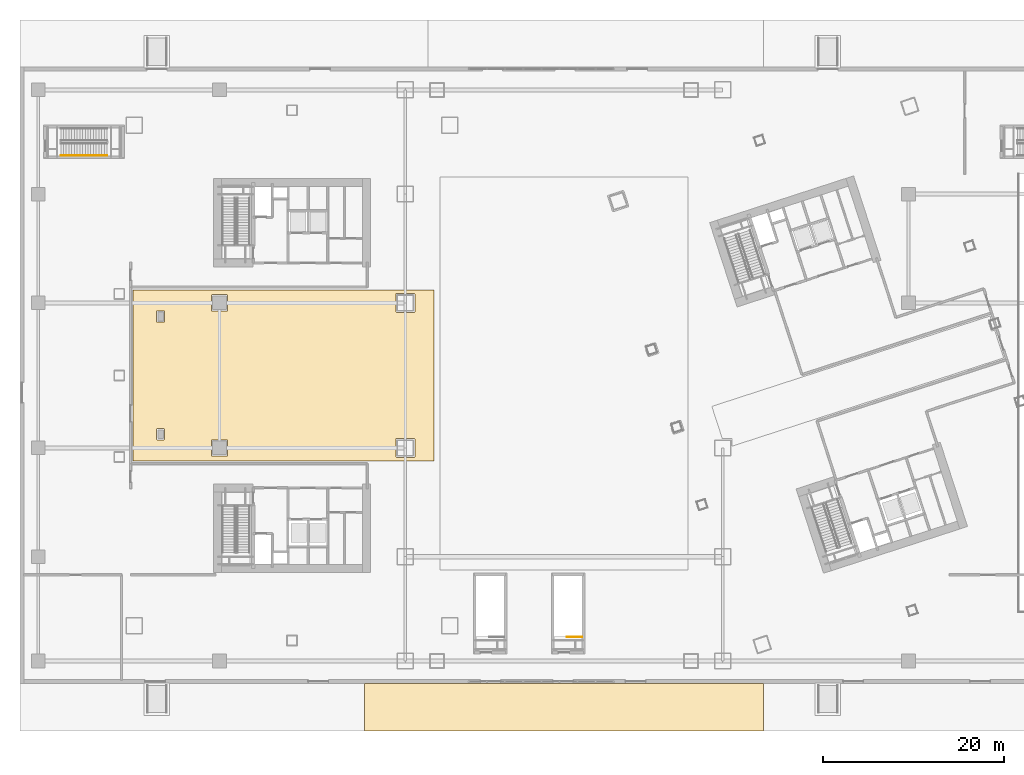
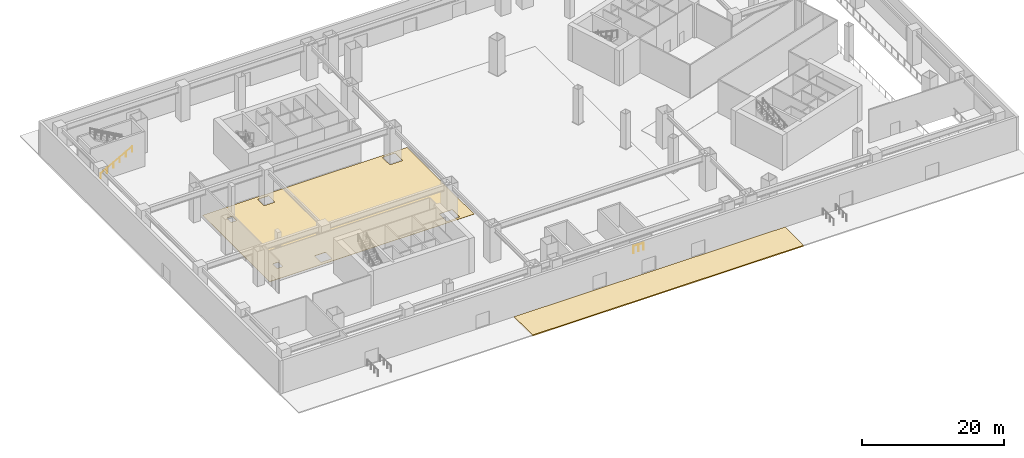
# One storey, part 22 of 31: 2 coverings, 2 railings.
"""IFC4 building model written with IfcOpenShell, lengths in metres."""

from ifc_helpers import new_model, si_unit, direction, frame, origin, origin_2d, place, context, subcontext, project, spatial, polyline, circle, outline, extrude, material, layer, layer_set, type_object, element, save


model = new_model("IFC4")

# Units and contexts
model_context = context("Model", 3, precision=1e-05, world=origin(), true_north=direction((0.0, 1.0)))
body_context = subcontext(model_context, "Body", "Model", "MODEL_VIEW")
ifc_project = project(units=[si_unit("LENGTHUNIT", "METRE"), si_unit("AREAUNIT", "SQUARE_METRE"), si_unit("VOLUMEUNIT", "CUBIC_METRE"), si_unit("PLANEANGLEUNIT", "RADIAN"), si_unit("MASSUNIT", "GRAM", prefix="KILO")], contexts=[model_context])

# Site, building, storey
site_placement = place(None, origin())
site = spatial("IfcSite", under=ifc_project, at=site_placement, CompositionType="ELEMENT")
building_placement = place(site_placement, origin())
building = spatial("IfcBuilding", under=site, at=building_placement, Name="Qiaolan Cultural Towers", CompositionType="ELEMENT")
storey_placement = place(building_placement, origin())
storey = spatial("IfcBuildingStorey", under=building, at=storey_placement, Name="L00", CompositionType="ELEMENT", Elevation=0.0)

# Coverings
ifc_material_1 = material(Name="Honed Terrazzo & Raised Access Flooring", Category="concrete")
ifc_layer_1 = layer(ifc_material_1, 0.0400390625)
ifc_layer_set_1 = layer_set([ifc_layer_1], Name="Honed Terrazzo & Raised Access Flooring")
covering_type_1 = type_object("IfcCoveringType", Name="COV-FLR-STONE", PredefinedType="FLOORING", material=ifc_layer_set_1)
covering_1_placement = place(storey_placement, origin())
element("IfcCovering", 1, at=covering_1_placement, inside=storey, type_object=covering_type_1, Name="L00 West Tower Cultural & Office Entrance Lobby Finish Flooring", PredefinedType="FLOORING", context=body_context, shape_type="SweptSolid", body=[
    extrude(outline(polyline([(12.469970703125, 43.429931640625), (12.469970703125, 24.570068359375), (45.679931640625, 24.570068359375), (45.679931640625, 43.429931640625), (12.469970703125, 43.429931640625)]), holes=[polyline([(41.45068359375, 42.941650390625), (41.452392578125, 42.953369140625), (41.455078125, 42.96484375), (41.459228515625, 42.975830078125), (41.464111328125, 42.986572265625), (41.47021484375, 42.99658203125), (41.477294921875, 43.006103515625), (41.485107421875, 43.014892578125), (41.493896484375, 43.022705078125), (41.50341796875, 43.02978515625), (41.513427734375, 43.035888671875), (41.524169921875, 43.040771484375), (41.53515625, 43.044921875), (41.546630859375, 43.047607421875), (41.558349609375, 43.04931640625), (41.570068359375, 43.050048828125), (43.429931640625, 43.050048828125), (43.441650390625, 43.04931640625), (43.453369140625, 43.047607421875), (43.46484375, 43.044921875), (43.475830078125, 43.040771484375), (43.486572265625, 43.035888671875), (43.49658203125, 43.02978515625), (43.506103515625, 43.022705078125), (43.514892578125, 43.014892578125), (43.522705078125, 43.006103515625), (43.52978515625, 42.99658203125), (43.535888671875, 42.986572265625), (43.540771484375, 42.975830078125), (43.544921875, 42.96484375), (43.547607421875, 42.953369140625), (43.54931640625, 42.941650390625), (43.550048828125, 42.929931640625), (43.550048828125, 41.070068359375), (43.54931640625, 41.058349609375), (43.547607421875, 41.046630859375), (43.544921875, 41.03515625), (43.540771484375, 41.024169921875), (43.535888671875, 41.013427734375), (43.52978515625, 41.00341796875), (43.522705078125, 40.993896484375), (43.514892578125, 40.985107421875), (43.506103515625, 40.977294921875), (43.49658203125, 40.97021484375), (43.486572265625, 40.964111328125), (43.475830078125, 40.959228515625), (43.46484375, 40.955078125), (43.453369140625, 40.952392578125), (43.441650390625, 40.95068359375), (43.429931640625, 40.949951171875), (41.570068359375, 40.949951171875), (41.558349609375, 40.95068359375), (41.546630859375, 40.952392578125), (41.53515625, 40.955078125), (41.524169921875, 40.959228515625), (41.513427734375, 40.964111328125), (41.50341796875, 40.97021484375), (41.493896484375, 40.977294921875), (41.485107421875, 40.985107421875), (41.477294921875, 40.993896484375), (41.47021484375, 41.00341796875), (41.464111328125, 41.013427734375), (41.459228515625, 41.024169921875), (41.455078125, 41.03515625), (41.452392578125, 41.046630859375), (41.45068359375, 41.058349609375), (41.449951171875, 41.070068359375), (41.449951171875, 42.929931640625), (41.45068359375, 42.941650390625)]), polyline([(41.558349609375, 24.95068359375), (41.546630859375, 24.952392578125), (41.53515625, 24.955078125), (41.524169921875, 24.959228515625), (41.513427734375, 24.964111328125), (41.50341796875, 24.97021484375), (41.493896484375, 24.977294921875), (41.485107421875, 24.985107421875), (41.477294921875, 24.993896484375), (41.47021484375, 25.00341796875), (41.464111328125, 25.013427734375), (41.459228515625, 25.024169921875), (41.455078125, 25.03515625), (41.452392578125, 25.046630859375), (41.45068359375, 25.058349609375), (41.449951171875, 25.070068359375), (41.449951171875, 26.929931640625), (41.45068359375, 26.941650390625), (41.452392578125, 26.953369140625), (41.455078125, 26.96484375), (41.459228515625, 26.975830078125), (41.464111328125, 26.986572265625), (41.47021484375, 26.99658203125), (41.477294921875, 27.006103515625), (41.485107421875, 27.014892578125), (41.493896484375, 27.022705078125), (41.50341796875, 27.02978515625), (41.513427734375, 27.035888671875), (41.524169921875, 27.040771484375), (41.53515625, 27.044921875), (41.546630859375, 27.047607421875), (41.558349609375, 27.04931640625), (41.570068359375, 27.050048828125), (43.429931640625, 27.050048828125), (43.441650390625, 27.04931640625), (43.453369140625, 27.047607421875), (43.46484375, 27.044921875), (43.475830078125, 27.040771484375), (43.486572265625, 27.035888671875), (43.49658203125, 27.02978515625), (43.506103515625, 27.022705078125), (43.514892578125, 27.014892578125), (43.522705078125, 27.006103515625), (43.52978515625, 26.99658203125), (43.535888671875, 26.986572265625), (43.540771484375, 26.975830078125), (43.544921875, 26.96484375), (43.547607421875, 26.953369140625), (43.54931640625, 26.941650390625), (43.550048828125, 26.929931640625), (43.550048828125, 25.070068359375), (43.54931640625, 25.058349609375), (43.547607421875, 25.046630859375), (43.544921875, 25.03515625), (43.540771484375, 25.024169921875), (43.535888671875, 25.013427734375), (43.52978515625, 25.00341796875), (43.522705078125, 24.993896484375), (43.514892578125, 24.985107421875), (43.506103515625, 24.977294921875), (43.49658203125, 24.97021484375), (43.486572265625, 24.964111328125), (43.475830078125, 24.959228515625), (43.46484375, 24.955078125), (43.453369140625, 24.952392578125), (43.441650390625, 24.95068359375), (43.429931640625, 24.949951171875), (41.570068359375, 24.949951171875), (41.558349609375, 24.95068359375)]), polyline([(22.791748046875, 26.8994140625), (22.803466796875, 26.897705078125), (22.81494140625, 26.894775390625), (22.825927734375, 26.890869140625), (22.836669921875, 26.8857421875), (22.8466796875, 26.8798828125), (22.856201171875, 26.872802734375), (22.86474609375, 26.86474609375), (22.872802734375, 26.856201171875), (22.8798828125, 26.8466796875), (22.8857421875, 26.836669921875), (22.890869140625, 26.825927734375), (22.894775390625, 26.81494140625), (22.897705078125, 26.803466796875), (22.8994140625, 26.791748046875), (22.89990234375, 26.780029296875), (22.89990234375, 25.219970703125), (22.8994140625, 25.208251953125), (22.897705078125, 25.196533203125), (22.894775390625, 25.18505859375), (22.890869140625, 25.174072265625), (22.8857421875, 25.163330078125), (22.8798828125, 25.1533203125), (22.872802734375, 25.143798828125), (22.86474609375, 25.13525390625), (22.856201171875, 25.127197265625), (22.8466796875, 25.1201171875), (22.836669921875, 25.1142578125), (22.825927734375, 25.109130859375), (22.81494140625, 25.105224609375), (22.803466796875, 25.102294921875), (22.791748046875, 25.1005859375), (22.780029296875, 25.10009765625), (21.219970703125, 25.10009765625), (21.208251953125, 25.1005859375), (21.196533203125, 25.102294921875), (21.18505859375, 25.105224609375), (21.174072265625, 25.109130859375), (21.163330078125, 25.1142578125), (21.1533203125, 25.1201171875), (21.143798828125, 25.127197265625), (21.13525390625, 25.13525390625), (21.127197265625, 25.143798828125), (21.1201171875, 25.1533203125), (21.1142578125, 25.163330078125), (21.109130859375, 25.174072265625), (21.105224609375, 25.18505859375), (21.102294921875, 25.196533203125), (21.1005859375, 25.208251953125), (21.10009765625, 25.219970703125), (21.10009765625, 26.780029296875), (21.1005859375, 26.791748046875), (21.102294921875, 26.803466796875), (21.105224609375, 26.81494140625), (21.109130859375, 26.825927734375), (21.1142578125, 26.836669921875), (21.1201171875, 26.8466796875), (21.127197265625, 26.856201171875), (21.13525390625, 26.86474609375), (21.143798828125, 26.872802734375), (21.1533203125, 26.8798828125), (21.163330078125, 26.8857421875), (21.174072265625, 26.890869140625), (21.18505859375, 26.894775390625), (21.196533203125, 26.897705078125), (21.208251953125, 26.8994140625), (21.219970703125, 26.89990234375), (22.780029296875, 26.89990234375), (22.791748046875, 26.8994140625)]), polyline([(22.8994140625, 41.208251953125), (22.897705078125, 41.196533203125), (22.894775390625, 41.18505859375), (22.890869140625, 41.174072265625), (22.8857421875, 41.163330078125), (22.8798828125, 41.1533203125), (22.872802734375, 41.143798828125), (22.86474609375, 41.13525390625), (22.856201171875, 41.127197265625), (22.8466796875, 41.1201171875), (22.836669921875, 41.1142578125), (22.825927734375, 41.109130859375), (22.81494140625, 41.105224609375), (22.803466796875, 41.102294921875), (22.791748046875, 41.1005859375), (22.780029296875, 41.10009765625), (21.219970703125, 41.10009765625), (21.208251953125, 41.1005859375), (21.196533203125, 41.102294921875), (21.18505859375, 41.105224609375), (21.174072265625, 41.109130859375), (21.163330078125, 41.1142578125), (21.1533203125, 41.1201171875), (21.143798828125, 41.127197265625), (21.13525390625, 41.13525390625), (21.127197265625, 41.143798828125), (21.1201171875, 41.1533203125), (21.1142578125, 41.163330078125), (21.109130859375, 41.174072265625), (21.105224609375, 41.18505859375), (21.102294921875, 41.196533203125), (21.1005859375, 41.208251953125), (21.10009765625, 41.219970703125), (21.10009765625, 42.780029296875), (21.1005859375, 42.791748046875), (21.102294921875, 42.803466796875), (21.105224609375, 42.81494140625), (21.109130859375, 42.825927734375), (21.1142578125, 42.836669921875), (21.1201171875, 42.8466796875), (21.127197265625, 42.856201171875), (21.13525390625, 42.86474609375), (21.143798828125, 42.872802734375), (21.1533203125, 42.8798828125), (21.163330078125, 42.8857421875), (21.174072265625, 42.890869140625), (21.18505859375, 42.894775390625), (21.196533203125, 42.897705078125), (21.208251953125, 42.8994140625), (21.219970703125, 42.89990234375), (22.780029296875, 42.89990234375), (22.791748046875, 42.8994140625), (22.803466796875, 42.897705078125), (22.81494140625, 42.894775390625), (22.825927734375, 42.890869140625), (22.836669921875, 42.8857421875), (22.8466796875, 42.8798828125), (22.856201171875, 42.872802734375), (22.86474609375, 42.86474609375), (22.872802734375, 42.856201171875), (22.8798828125, 42.8466796875), (22.8857421875, 42.836669921875), (22.890869140625, 42.825927734375), (22.894775390625, 42.81494140625), (22.897705078125, 42.803466796875), (22.8994140625, 42.791748046875), (22.89990234375, 42.780029296875), (22.89990234375, 41.219970703125), (22.8994140625, 41.208251953125)]), polyline([(15.841796875, 28.12451171875), (15.853515625, 28.122802734375), (15.86474609375, 28.119873046875), (15.8759765625, 28.115966796875), (15.886474609375, 28.11083984375), (15.896728515625, 28.104736328125), (15.906005859375, 28.09765625), (15.914794921875, 28.08984375), (15.9228515625, 28.0810546875), (15.9296875, 28.07177734375), (15.935791015625, 28.0615234375), (15.94091796875, 28.051025390625), (15.94482421875, 28.039794921875), (15.94775390625, 28.0283203125), (15.949462890625, 28.016845703125), (15.949951171875, 28.0048828125), (15.949951171875, 26.9951171875), (15.949462890625, 26.983154296875), (15.94775390625, 26.9716796875), (15.94482421875, 26.960205078125), (15.94091796875, 26.948974609375), (15.935791015625, 26.9384765625), (15.9296875, 26.92822265625), (15.9228515625, 26.9189453125), (15.914794921875, 26.91015625), (15.906005859375, 26.90234375), (15.896728515625, 26.895263671875), (15.886474609375, 26.88916015625), (15.8759765625, 26.884033203125), (15.86474609375, 26.880126953125), (15.853515625, 26.877197265625), (15.841796875, 26.87548828125), (15.830078125, 26.875), (15.169921875, 26.875), (15.158203125, 26.87548828125), (15.146484375, 26.877197265625), (15.13525390625, 26.880126953125), (15.1240234375, 26.884033203125), (15.113525390625, 26.88916015625), (15.103271484375, 26.895263671875), (15.093994140625, 26.90234375), (15.085205078125, 26.91015625), (15.0771484375, 26.9189453125), (15.0703125, 26.92822265625), (15.064208984375, 26.9384765625), (15.05908203125, 26.948974609375), (15.05517578125, 26.960205078125), (15.05224609375, 26.9716796875), (15.050537109375, 26.983154296875), (15.050048828125, 26.9951171875), (15.050048828125, 28.0048828125), (15.050537109375, 28.016845703125), (15.05224609375, 28.0283203125), (15.05517578125, 28.039794921875), (15.05908203125, 28.051025390625), (15.064208984375, 28.0615234375), (15.0703125, 28.07177734375), (15.0771484375, 28.0810546875), (15.085205078125, 28.08984375), (15.093994140625, 28.09765625), (15.103271484375, 28.104736328125), (15.113525390625, 28.11083984375), (15.1240234375, 28.115966796875), (15.13525390625, 28.119873046875), (15.146484375, 28.122802734375), (15.158203125, 28.12451171875), (15.169921875, 28.125), (15.830078125, 28.125), (15.841796875, 28.12451171875)]), polyline([(15.949462890625, 39.983154296875), (15.94775390625, 39.9716796875), (15.94482421875, 39.960205078125), (15.94091796875, 39.948974609375), (15.935791015625, 39.9384765625), (15.9296875, 39.92822265625), (15.9228515625, 39.9189453125), (15.914794921875, 39.91015625), (15.906005859375, 39.90234375), (15.896728515625, 39.895263671875), (15.886474609375, 39.88916015625), (15.8759765625, 39.884033203125), (15.86474609375, 39.880126953125), (15.853515625, 39.877197265625), (15.841796875, 39.87548828125), (15.830078125, 39.875), (15.169921875, 39.875), (15.158203125, 39.87548828125), (15.146484375, 39.877197265625), (15.13525390625, 39.880126953125), (15.1240234375, 39.884033203125), (15.113525390625, 39.88916015625), (15.103271484375, 39.895263671875), (15.093994140625, 39.90234375), (15.085205078125, 39.91015625), (15.0771484375, 39.9189453125), (15.0703125, 39.92822265625), (15.064208984375, 39.9384765625), (15.05908203125, 39.948974609375), (15.05517578125, 39.960205078125), (15.05224609375, 39.9716796875), (15.050537109375, 39.983154296875), (15.050048828125, 39.9951171875), (15.050048828125, 41.0048828125), (15.050537109375, 41.016845703125), (15.05224609375, 41.0283203125), (15.05517578125, 41.039794921875), (15.05908203125, 41.051025390625), (15.064208984375, 41.0615234375), (15.0703125, 41.07177734375), (15.0771484375, 41.0810546875), (15.085205078125, 41.08984375), (15.093994140625, 41.09765625), (15.103271484375, 41.104736328125), (15.113525390625, 41.11083984375), (15.1240234375, 41.115966796875), (15.13525390625, 41.119873046875), (15.146484375, 41.122802734375), (15.158203125, 41.12451171875), (15.169921875, 41.125), (15.830078125, 41.125), (15.841796875, 41.12451171875), (15.853515625, 41.122802734375), (15.86474609375, 41.119873046875), (15.8759765625, 41.115966796875), (15.886474609375, 41.11083984375), (15.896728515625, 41.104736328125), (15.906005859375, 41.09765625), (15.914794921875, 41.08984375), (15.9228515625, 41.0810546875), (15.9296875, 41.07177734375), (15.935791015625, 41.0615234375), (15.94091796875, 41.051025390625), (15.94482421875, 41.039794921875), (15.94775390625, 41.0283203125), (15.949462890625, 41.016845703125), (15.949951171875, 41.0048828125), (15.949951171875, 39.9951171875), (15.949462890625, 39.983154296875)])]), origin(), (0.0, 0.0, 1.0), 0.0400390625),
])
ifc_material_2 = material(Name="Precast Concrete C40 Granite Forecourt Paving", Category="masonry")
ifc_layer_2 = layer(ifc_material_2, 0.179931640625)
ifc_layer_set_2 = layer_set([ifc_layer_2], Name="Precast Concrete C40 Granite Forecourt Paving")
covering_type_2 = type_object("IfcCoveringType", Name="COV-PLAZA-PAVING", PredefinedType="USERDEFINED", material=ifc_layer_set_2)
covering_2_placement = place(storey_placement, frame((0.0, 0.0, -0.179931640625)))
element("IfcCovering", 2, at=covering_2_placement, inside=storey, type_object=covering_type_2, Name="Station Forecourt Granite Paving PLZ-S2", ObjectType="PAVING", PredefinedType="USERDEFINED", context=body_context, shape_type="SweptSolid", body=[
    extrude(outline(polyline([(38.0, -5.199951171875), (82.0, -5.199951171875), (82.0, 0.0), (38.0, 0.0), (38.0, -5.199951171875)])), origin(), (0.0, 0.0, 1.0), 0.179931640625),
])

# Railings
ifc_material_3 = material(Name="Galvanized Painted Steel Stair Guardrail", Category="steel")
railing_type_1 = type_object("IfcRailingType", Name="RL-STAIR-GRD", PredefinedType="GUARDRAIL", material=ifc_material_3)
railing_1_placement = place(storey_placement, frame((62.0, 5.14990234375, 0.0)))
element("IfcRailing", 3, at=railing_1_placement, inside=storey, type_object=railing_type_1, Name="L00 ST-M2 top well guard 1", PredefinedType="GUARDRAIL", context=body_context, shape_type="SweptSolid", body=[
    extrude(circle(Radius=0.02392578125, at=origin_2d()), frame((0.0, 0.0, 1.17578125), z_axis=(-1.0, 0.0, 0.0), x_axis=(0.0, -1.0, 0.0)), (0.0, 0.0, 1.0), 1.64990234375),
    extrude(circle(Radius=0.02099609375, at=origin_2d()), origin(), (0.0, 0.0, 1.0), 1.15185546875),
    extrude(circle(Radius=0.02099609375, at=origin_2d()), frame((-0.824951171875, 0.0, 0.0)), (0.0, 0.0, 1.0), 1.15185546875),
    extrude(circle(Radius=0.02099609375, at=origin_2d()), frame((-1.64990234375, 0.0, 0.0)), (0.0, 0.0, 1.0), 1.15185546875),
])
ifc_material_4 = material(Name="Stainless Steel S30408 Tubular Handrail", Category="steel")
railing_type_2 = type_object("IfcRailingType", Name="RL-STAIR-HR", PredefinedType="HANDRAIL", material=ifc_material_4)
railing_2_placement = place(storey_placement, frame((4.5, 58.25, 0.166748046875)))
element("IfcRailing", 4, at=railing_2_placement, inside=storey, type_object=railing_type_2, Name="L00 ST-P1 stair handrail 1", PredefinedType="HANDRAIL", context=body_context, shape_type="SweptSolid", body=[
    extrude(circle(Radius=0.02392578125, at=origin_2d()), frame((0.0, 0.0, 0.8759765625), z_axis=(0.874167145328, 0.0, 0.485625166182), x_axis=(0.0, 1.0, 0.0)), (0.0, 0.0, 1.0), 5.834228515625),
    extrude(circle(Radius=0.02099609375, at=origin_2d()), origin(), (0.0, 0.0, 1.0), 0.851806640625),
    extrude(circle(Radius=0.02099609375, at=origin_2d()), frame((1.02001953125, 0.0, 0.566650390625)), (0.0, 0.0, 1.0), 0.851806640625),
    extrude(circle(Radius=0.02099609375, at=origin_2d()), frame((2.0400390625, 0.0, 1.13330078125)), (0.0, 0.0, 1.0), 0.851806640625),
    extrude(circle(Radius=0.02099609375, at=origin_2d()), frame((3.06005859375, 0.0, 1.699951171875)), (0.0, 0.0, 1.0), 0.851806640625),
    extrude(circle(Radius=0.02099609375, at=origin_2d()), frame((4.080078125, 0.0, 2.2666015625)), (0.0, 0.0, 1.0), 0.851806640625),
    extrude(circle(Radius=0.02099609375, at=origin_2d()), frame((5.10009765625, 0.0, 2.833251953125)), (0.0, 0.0, 1.0), 0.851806640625),
])

save(model, "model.ifc")
